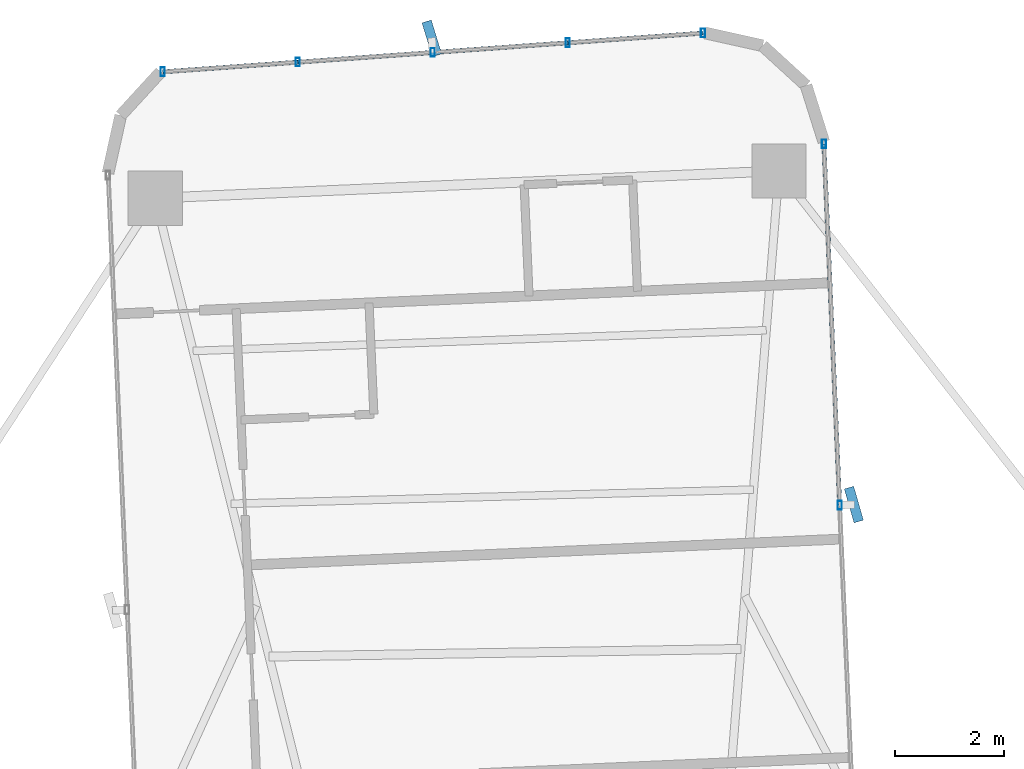
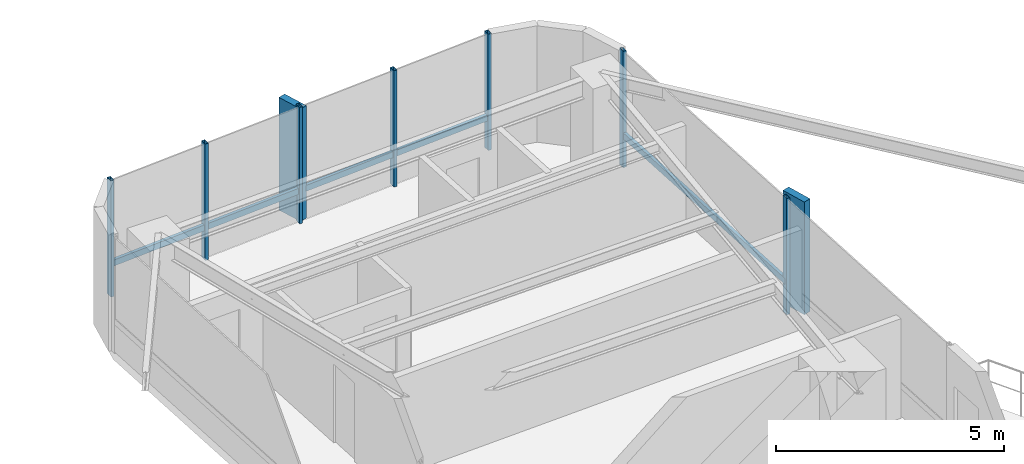
# One storey, part 19 of 26: 14 members, 2 elements without a shape of their own.
"""IFC4 building model written with IfcOpenShell, lengths in metres."""

from ifc_helpers import new_model, si_unit, direction, frame, origin, origin_2d, place, context, subcontext, project, spatial, rectangle, hollow_rectangle, extrude, source, transform, mapped, material, material_profile, profile_set, type_object, element, aggregate, save


model = new_model("IFC4")

# Units and contexts
model_context = context("Model", 3, precision=1e-05, world=origin(), true_north=direction((0.0, 1.0)))
body_context = subcontext(model_context, "Body", "Model", "MODEL_VIEW")
ifc_project = project(units=[si_unit("LENGTHUNIT", "METRE"), si_unit("AREAUNIT", "SQUARE_METRE"), si_unit("VOLUMEUNIT", "CUBIC_METRE"), si_unit("PLANEANGLEUNIT", "RADIAN"), si_unit("MASSUNIT", "GRAM", prefix="KILO")], contexts=[model_context])

# Site, building, storey
site_placement = place(None, origin())
site = spatial("IfcSite", under=ifc_project, at=site_placement, CompositionType="ELEMENT")
building_placement = place(site_placement, origin())
building = spatial("IfcBuilding", under=site, at=building_placement, Name="Sahyath Konkavel Grand Hotel", CompositionType="ELEMENT")
storey_placement = place(building_placement, frame((0.0, 0.0, 93.550048828125)))
storey = spatial("IfcBuildingStorey", under=building, at=storey_placement, Name="L25", CompositionType="ELEMENT", Elevation=93.550048828125)

# Curtain wall, members
ifc_material_1 = material(Name="Anodised Bronze Aluminium & Low-E Glazing", Category="aluminium")
curtain_wall_type = type_object("IfcCurtainWallType", Name="CW-ZONE2", PredefinedType="NOTDEFINED", material=ifc_material_1)
curtain_wall_1_placement = place(storey_placement, origin())
curtain_wall_1 = element("IfcCurtainWall", 1, at=curtain_wall_1_placement, inside=storey, type_object=curtain_wall_type, Name="L25 Unitised Curtain Wall F8", PredefinedType="NOTDEFINED")
ifc_material_2 = material(Name="Anodised Bronze Aluminium", Category="aluminium")
ifc_material_profile_1 = material_profile(ifc_material_2, hollow_rectangle(XDim=0.080078125, YDim=0.159912109375, WallThickness=0.006103515625, at=origin_2d()), Name="RHS 160x80x6")
ifc_profile_set_1 = profile_set([ifc_material_profile_1], Name="Anodised Bronze Aluminium")
member_type_1 = type_object("IfcMemberType", Name="CW-MUL-160", PredefinedType="MULLION", material=ifc_profile_set_1)
shared_shape_1 = source(origin(), body_context, "Body", "SweptSolid", [
    extrude(hollow_rectangle(XDim=0.080078125, YDim=0.159912109375, WallThickness=0.006103515625, at=origin_2d()), origin(), (0.0, 0.0, 1.0), 3.10986328125),
])
member_1_placement = place(storey_placement, frame((5.895751953125, 16.272705078125, 0.0), z_axis=(0.0, 0.0, 1.0), x_axis=(1.0, 0.0, 0.0)))
member_1 = element("IfcMember", 2, at=member_1_placement, type_object=member_type_1, Name="L25 Curtain Wall Mullion F8-1", PredefinedType="MULLION", context=body_context, shape_type="MappedRepresentation", body=[
    mapped(shared_shape_1, transform((0.0, 0.0, 0.0), scale=1.0)),
])
member_2_placement = place(storey_placement, frame((5.605224609375, 22.92626953125, 0.0), z_axis=(0.0, 0.0, 1.0), x_axis=(1.0, 0.0, 0.0)))
member_2 = element("IfcMember", 3, at=member_2_placement, type_object=member_type_1, Name="L25 Curtain Wall Mullion F8-2", PredefinedType="MULLION", context=body_context, shape_type="MappedRepresentation", body=[
    mapped(shared_shape_1, transform((0.0, 0.0, 0.0), scale=1.0)),
])

curtain_wall_2_placement = place(storey_placement, origin())
curtain_wall_2 = element("IfcCurtainWall", 4, at=curtain_wall_2_placement, inside=storey, type_object=curtain_wall_type, Name="L25 Unitised Curtain Wall F12", PredefinedType="NOTDEFINED")
member_3_placement = place(storey_placement, frame((3.3740234375, 24.9697265625, 0.0), z_axis=(0.0, 0.0, 1.0), x_axis=(1.0, 0.0, 0.0)))
member_3 = element("IfcMember", 5, at=member_3_placement, type_object=member_type_1, Name="L25 Curtain Wall Mullion F12-0", PredefinedType="MULLION", context=body_context, shape_type="MappedRepresentation", body=[
    mapped(shared_shape_1, transform((0.0, 0.0, 0.0), scale=1.0)),
])
member_4_placement = place(storey_placement, frame((0.886962890625, 24.79150390625, 0.0), z_axis=(0.0, 0.0, 1.0), x_axis=(1.0, 0.0, 0.0)))
member_4 = element("IfcMember", 6, at=member_4_placement, type_object=member_type_1, Name="L25 Curtain Wall Mullion F12-1", PredefinedType="MULLION", context=body_context, shape_type="MappedRepresentation", body=[
    mapped(shared_shape_1, transform((0.0, 0.0, 0.0), scale=1.0)),
])
member_5_placement = place(storey_placement, frame((-1.60009765625, 24.61279296875, 0.0), z_axis=(0.0, 0.0, 1.0), x_axis=(1.0, 0.0, 0.0)))
member_5 = element("IfcMember", 7, at=member_5_placement, type_object=member_type_1, Name="L25 Curtain Wall Mullion F12-2", PredefinedType="MULLION", context=body_context, shape_type="MappedRepresentation", body=[
    mapped(shared_shape_1, transform((0.0, 0.0, 0.0), scale=1.0)),
])
member_6_placement = place(storey_placement, frame((-4.087158203125, 24.4345703125, 0.0), z_axis=(0.0, 0.0, 1.0), x_axis=(1.0, 0.0, 0.0)))
member_6 = element("IfcMember", 8, at=member_6_placement, type_object=member_type_1, Name="L25 Curtain Wall Mullion F12-3", PredefinedType="MULLION", context=body_context, shape_type="MappedRepresentation", body=[
    mapped(shared_shape_1, transform((0.0, 0.0, 0.0), scale=1.0)),
])
member_7_placement = place(storey_placement, frame((-6.57421875, 24.256103515625, 0.0), z_axis=(0.0, 0.0, 1.0), x_axis=(1.0, 0.0, 0.0)))
member_7 = element("IfcMember", 9, at=member_7_placement, type_object=member_type_1, Name="L25 Curtain Wall Mullion F12-4", PredefinedType="MULLION", context=body_context, shape_type="MappedRepresentation", body=[
    mapped(shared_shape_1, transform((0.0, 0.0, 0.0), scale=1.0)),
])

# Member
ifc_material_3 = material(Name="Warm Buff Sandstone Cladding on Concrete C50/60", Category="masonry")
ifc_material_profile_2 = material_profile(ifc_material_3, rectangle(XDim=0.179931640625, YDim=0.64990234375, at=origin_2d()), Name="FIN 180x650")
ifc_profile_set_2 = profile_set([ifc_material_profile_2], Name="Warm Buff Sandstone Cladding on Concrete C50/60")
member_type_2 = type_object("IfcMemberType", Name="FIN-SANDSTONE-650", PredefinedType="MULLION", material=ifc_profile_set_2)
shared_shape_2 = source(origin(), body_context, "Body", "SweptSolid", [
    extrude(rectangle(XDim=0.179931640625, YDim=0.64990234375, at=origin_2d()), origin(), (0.0, 0.0, 1.0), 3.010009765625),
])
member_8_placement = place(storey_placement, frame((6.155517578125, 16.283935546875, 0.050048828125), z_axis=(0.0, 0.0, 1.0), x_axis=(0.961069030524, 0.276308375854, 0.0)))
member_8 = element("IfcMember", 10, at=member_8_placement, type_object=member_type_2, Name="L25 Sandstone Vertical Solar Fin FIN F8-1", PredefinedType="MULLION", context=body_context, shape_type="MappedRepresentation", body=[
    mapped(shared_shape_2, transform((0.0, 0.0, 0.0), scale=1.0)),
])

member_9_placement = place(storey_placement, frame((-1.61865234375, 24.872314453125, 0.050048828125), z_axis=(0.0, 0.0, 1.0), x_axis=(0.955690317134, 0.294373942013, 0.0)))
member_9 = element("IfcMember", 11, at=member_9_placement, type_object=member_type_2, Name="L25 Sandstone Vertical Solar Fin FIN F12-2", PredefinedType="MULLION", context=body_context, shape_type="MappedRepresentation", body=[
    mapped(shared_shape_2, transform((0.0, 0.0, 0.0), scale=1.0)),
])

ifc_material_profile_3 = material_profile(ifc_material_2, hollow_rectangle(XDim=0.080078125, YDim=0.159912109375, WallThickness=0.006103515625, at=origin_2d()), Name="RHS 160x80x6")
ifc_profile_set_3 = profile_set([ifc_material_profile_3], Name="Anodised Bronze Aluminium")
member_type_3 = type_object("IfcMemberType", Name="CW-TRN-160", PredefinedType="USERDEFINED", material=ifc_profile_set_3)
shared_shape_3 = source(origin(), body_context, "Body", "SweptSolid", [
    extrude(hollow_rectangle(XDim=0.080078125, YDim=0.159912109375, WallThickness=0.006103515625, at=origin_2d()), origin(), (0.0, 0.0, 1.0), 2.493408203125),
])
member_10_placement = place(storey_placement, frame((3.3740234375, 24.9697265625, 0.849853515625), z_axis=(-0.997442271688, -0.071476672066, 0.0), x_axis=(0.071476672066, -0.997442271688, 0.0)))
member_10 = element("IfcMember", 12, at=member_10_placement, type_object=member_type_3, Name="L25 Curtain Wall Transom F12-0-spandrel", ObjectType="TRANSOM", PredefinedType="USERDEFINED", context=body_context, shape_type="MappedRepresentation", body=[
    mapped(shared_shape_3, transform((0.0, 0.0, 0.0), scale=1.0)),
])

member_11_placement = place(storey_placement, frame((0.886962890625, 24.79150390625, 0.849853515625), z_axis=(-0.997428291631, -0.071671494009, 0.0), x_axis=(0.071671494009, -0.997428291631, 0.0)))
member_11 = element("IfcMember", 13, at=member_11_placement, type_object=member_type_3, Name="L25 Curtain Wall Transom F12-1-spandrel", ObjectType="TRANSOM", PredefinedType="USERDEFINED", context=body_context, shape_type="MappedRepresentation", body=[
    mapped(shared_shape_3, transform((0.0, 0.0, 0.0), scale=1.0)),
])

member_12_placement = place(storey_placement, frame((-1.60009765625, 24.61279296875, 0.849853515625), z_axis=(-0.997442271688, -0.071476672066, 0.0), x_axis=(0.071476672066, -0.997442271688, 0.0)))
member_12 = element("IfcMember", 14, at=member_12_placement, type_object=member_type_3, Name="L25 Curtain Wall Transom F12-2-spandrel", ObjectType="TRANSOM", PredefinedType="USERDEFINED", context=body_context, shape_type="MappedRepresentation", body=[
    mapped(shared_shape_3, transform((0.0, 0.0, 0.0), scale=1.0)),
])

member_13_placement = place(storey_placement, frame((-4.087158203125, 24.4345703125, 0.849853515625), z_axis=(-0.997435286367, -0.071574084062, 0.0), x_axis=(0.071574084062, -0.997435286367, 0.0)))
member_13 = element("IfcMember", 15, at=member_13_placement, type_object=member_type_3, Name="L25 Curtain Wall Transom F12-3-spandrel", ObjectType="TRANSOM", PredefinedType="USERDEFINED", context=body_context, shape_type="MappedRepresentation", body=[
    mapped(shared_shape_3, transform((0.0, 0.0, 0.0), scale=1.0)),
])

aggregate(curtain_wall_2, [member_3, member_4, member_5, member_9, member_6, member_7, member_10, member_11, member_12, member_13])

shared_shape_4 = source(origin(), body_context, "Body", "SweptSolid", [
    extrude(hollow_rectangle(XDim=0.080078125, YDim=0.159912109375, WallThickness=0.006103515625, at=origin_2d()), origin(), (0.0, 0.0, 1.0), 6.659912109375),
])
member_14_placement = place(storey_placement, frame((5.895751953125, 16.272705078125, 0.849853515625), z_axis=(-0.043623350741, 0.999048048529, 0.0), x_axis=(-0.999048048529, -0.043623350741, 0.0)))
member_14 = element("IfcMember", 16, at=member_14_placement, type_object=member_type_3, Name="L25 Curtain Wall Transom F8-1-spandrel", ObjectType="TRANSOM", PredefinedType="USERDEFINED", context=body_context, shape_type="MappedRepresentation", body=[
    mapped(shared_shape_4, transform((0.0, 0.0, 0.0), scale=1.0)),
])

aggregate(curtain_wall_1, [member_1, member_8, member_2, member_14])

save(model, "model.ifc")
